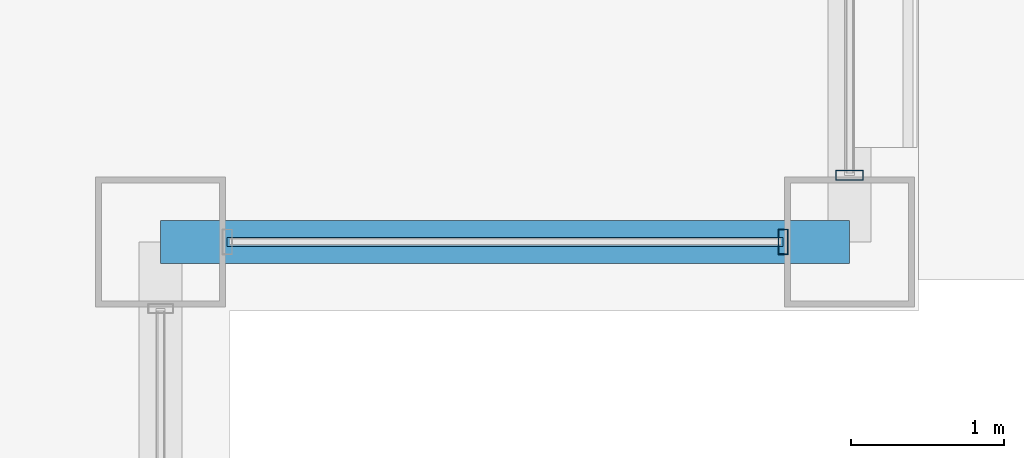
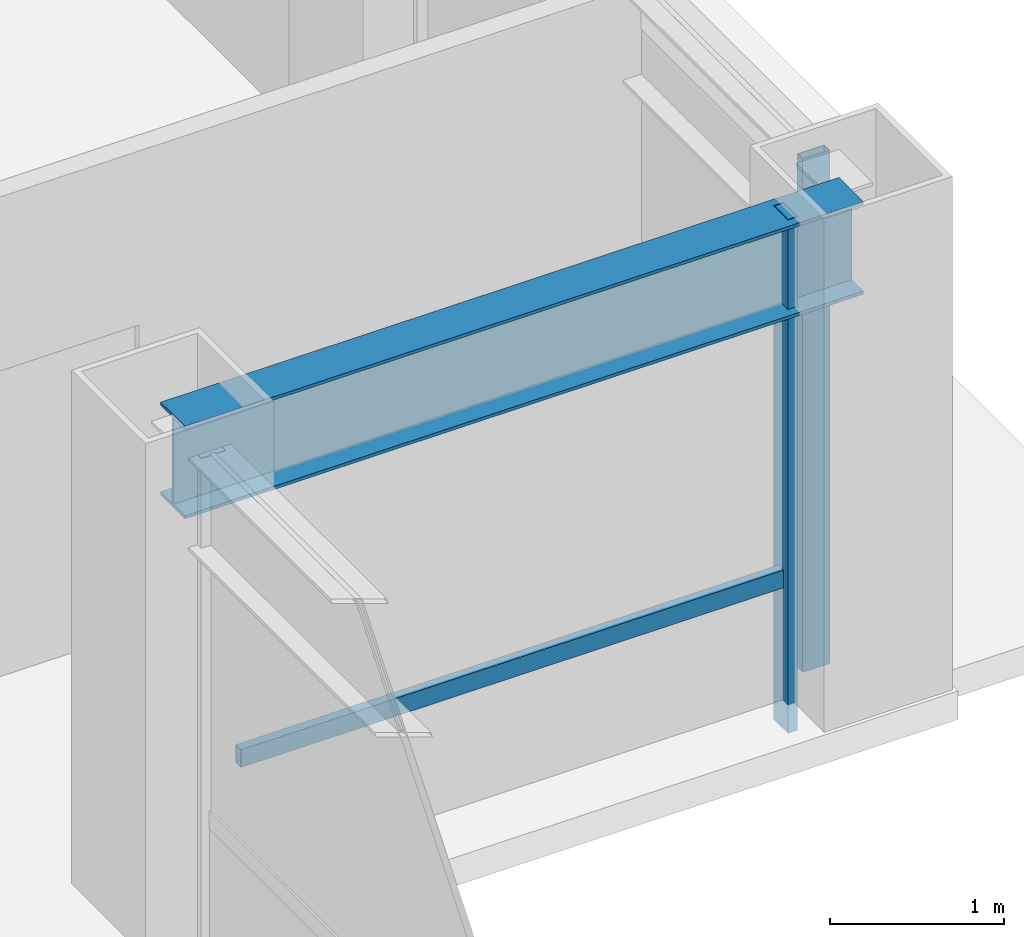
# One storey, part 14 of 34: 3 members, 1 beam, 2 elements without a shape of their own.
"""IFC4 building model written with IfcOpenShell, lengths in metres."""

from ifc_helpers import new_model, si_unit, direction, frame, origin, origin_2d, place, context, subcontext, project, spatial, hollow_rectangle, i_section, extrude, material, layer, layer_set, material_profile, profile_set, type_object, element, aggregate, save


model = new_model("IFC4")

# Units and contexts
model_context = context("Model", 3, precision=1e-05, world=origin(), true_north=direction((0.0, 1.0)))
body_context = subcontext(model_context, "Body", "Model", "MODEL_VIEW")
ifc_project = project(units=[si_unit("LENGTHUNIT", "METRE"), si_unit("AREAUNIT", "SQUARE_METRE"), si_unit("VOLUMEUNIT", "CUBIC_METRE"), si_unit("PLANEANGLEUNIT", "RADIAN"), si_unit("MASSUNIT", "GRAM", prefix="KILO")], contexts=[model_context])

# Site, building, storey
site_placement = place(None, origin())
site = spatial("IfcSite", under=ifc_project, at=site_placement, CompositionType="ELEMENT")
building_placement = place(site_placement, origin())
building = spatial("IfcBuilding", under=site, at=building_placement, Name="Brelmoor Portico Tower", CompositionType="ELEMENT")
storey_placement = place(building_placement, frame((0.0, 0.0, 117.0)))
storey = spatial("IfcBuildingStorey", under=building, at=storey_placement, Name="L30", CompositionType="ELEMENT", Elevation=117.0)

# Beam
ifc_material_1 = material(Name="Steel Q355B", Category="steel")
ifc_material_profile_1 = material_profile(ifc_material_1, i_section(OverallWidth=0.280029296875, OverallDepth=0.64990234375, WebThickness=0.012939453125, FlangeThickness=0.02197265625, at=origin_2d()), Name="HN 650x280x13x22")
ifc_profile_set_1 = profile_set([ifc_material_profile_1], Name="Steel Q355B")
beam_type = type_object("IfcBeamType", Name="BM-SP-650", PredefinedType="SPANDREL", material=ifc_profile_set_1)
beam_placement = place(storey_placement, frame((18.050048828125, -15.050048828125, 3.074951171875), z_axis=(1.0, 0.0, 0.0), x_axis=(0.0, 1.0, 0.0)))
element("IfcBeam", 1, at=beam_placement, inside=storey, type_object=beam_type, Name="L30 Perimeter Spandrel Beam SP-07", PredefinedType="SPANDREL", context=body_context, shape_type="SweptSolid", body=[
    extrude(i_section(OverallWidth=0.280029296875, OverallDepth=0.64990234375, WebThickness=0.012939453125, FlangeThickness=0.02197265625, at=origin_2d()), origin(), (0.0, 0.0, 1.0), 4.5),
])

# Curtain wall, member
ifc_material_2 = material(Name="Anodised Aluminium Alloy 6063-T6", Category="aluminium")
ifc_layer_1 = layer(ifc_material_2, 0.179931640625)
ifc_layer_set_1 = layer_set([ifc_layer_1], Name="Anodised Aluminium Alloy 6063-T6")
curtain_wall_type_1 = type_object("IfcCurtainWallType", Name="CW-NOTCH-CHAMFER", PredefinedType="NOTDEFINED", material=ifc_layer_set_1)
curtain_wall_1_placement = place(storey_placement, origin())
curtain_wall_1 = element("IfcCurtainWall", 2, at=curtain_wall_1_placement, inside=storey, type_object=curtain_wall_type_1, Name="L30 Curtain Wall CWN-L30-SEH", PredefinedType="NOTDEFINED")
ifc_material_profile_2 = material_profile(ifc_material_2, hollow_rectangle(XDim=0.06494140625, YDim=0.1650390625, WallThickness=0.00390625, at=origin_2d()), Name="ALU MULLION 65x165")
ifc_profile_set_2 = profile_set([ifc_material_profile_2], Name="Anodised Aluminium Alloy 6063-T6")
member_type_1 = type_object("IfcMemberType", Name="MB-CW-MULL-165", PredefinedType="MULLION", material=ifc_profile_set_2)
member_1_placement = place(storey_placement, frame((22.114990234375, -15.050048828125, -0.199951171875), z_axis=(0.0, 0.0, 1.0), x_axis=(1.0, 0.0, 0.0)))
member_1 = element("IfcMember", 3, at=member_1_placement, type_object=member_type_1, Name="CWN-L30-SEH Mullion 01", PredefinedType="MULLION", context=body_context, shape_type="SweptSolid", body=[
    extrude(hollow_rectangle(XDim=0.06494140625, YDim=0.1650390625, WallThickness=0.00390625, at=origin_2d()), origin(), (0.0, 0.0, 1.0), 3.599853515625),
])

ifc_layer_2 = layer(ifc_material_2, 0.179931640625)
ifc_layer_set_2 = layer_set([ifc_layer_2], Name="Anodised Aluminium Alloy 6063-T6")
curtain_wall_type_2 = type_object("IfcCurtainWallType", Name="CW-TOWER-Z2", PredefinedType="NOTDEFINED", material=ifc_layer_set_2)
curtain_wall_2_placement = place(storey_placement, origin())
curtain_wall_2 = element("IfcCurtainWall", 4, at=curtain_wall_2_placement, inside=storey, type_object=curtain_wall_type_2, Name="L30 Curtain Wall CW-L30-04-1", PredefinedType="NOTDEFINED")
ifc_material_profile_3 = material_profile(ifc_material_2, hollow_rectangle(XDim=0.06494140625, YDim=0.179931640625, WallThickness=0.00390625, at=origin_2d()), Name="ALU MULLION 65x180")
ifc_profile_set_3 = profile_set([ifc_material_profile_3], Name="Anodised Aluminium Alloy 6063-T6")
member_type_2 = type_object("IfcMemberType", Name="MB-CW-MULL-180", PredefinedType="MULLION", material=ifc_profile_set_3)
member_2_placement = place(storey_placement, frame((22.550048828125, -14.614990234375, -0.199951171875), z_axis=(0.0, 0.0, 1.0), x_axis=(0.0, 1.0, 0.0)))
member_2 = element("IfcMember", 5, at=member_2_placement, type_object=member_type_2, Name="CW-L30-04-1 Mullion 00", PredefinedType="MULLION", context=body_context, shape_type="SweptSolid", body=[
    extrude(hollow_rectangle(XDim=0.06494140625, YDim=0.179931640625, WallThickness=0.00390625, at=origin_2d()), origin(), (0.0, 0.0, 1.0), 3.599853515625),
])
aggregate(curtain_wall_2, [member_2])

# Member
ifc_material_profile_4 = material_profile(ifc_material_2, hollow_rectangle(XDim=0.06005859375, YDim=0.125, WallThickness=0.00341796875, at=origin_2d()), Name="ALU TRANSOM 60x125")
ifc_profile_set_4 = profile_set([ifc_material_profile_4], Name="Anodised Aluminium Alloy 6063-T6")
member_type_3 = type_object("IfcMemberType", Name="MB-CW-TRAN-125", PredefinedType="USERDEFINED", material=ifc_profile_set_4)
member_3_placement = place(storey_placement, frame((18.485107421875, -15.050048828125, 0.85009765625), z_axis=(1.0, 0.0, 0.0), x_axis=(0.0, 1.0, 0.0)))
member_3 = element("IfcMember", 6, at=member_3_placement, type_object=member_type_3, Name="CWN-L30-SEH Transom 1-00", ObjectType="TRANSOM", PredefinedType="USERDEFINED", context=body_context, shape_type="SweptSolid", body=[
    extrude(hollow_rectangle(XDim=0.06005859375, YDim=0.125, WallThickness=0.00341796875, at=origin_2d()), origin(), (0.0, 0.0, 1.0), 3.6298828125),
])

aggregate(curtain_wall_1, [member_1, member_3])

save(model, "model.ifc")
